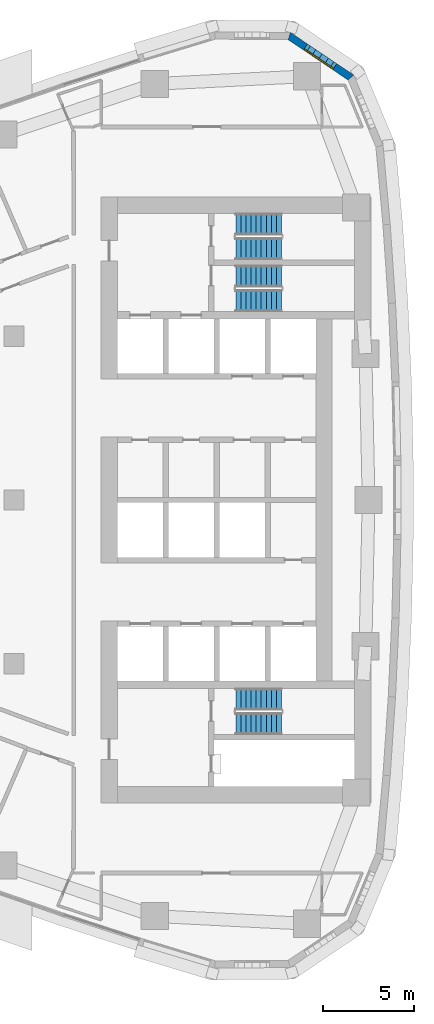
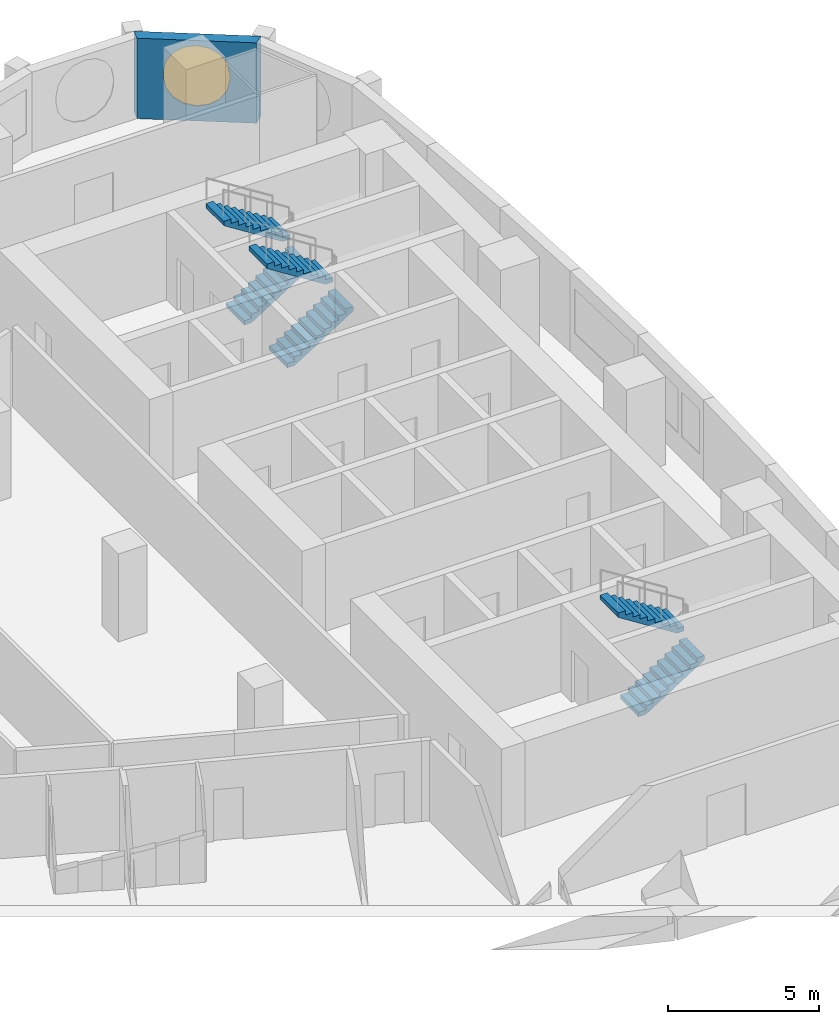
# One storey, part 13 of 17: 6 stair flights, 1 wall, 1 window, 1 opening, 3 elements without a shape of their own.
"""IFC4 building model written with IfcOpenShell, lengths in metres."""

from ifc_helpers import new_model, si_unit, direction, frame, origin, place, context, subcontext, project, spatial, polyline, outline, extrude, material, layer, layer_set, type_object, element, fill, aggregate, save


model = new_model("IFC4")

# Units and contexts
model_context = context("Model", 3, precision=1e-05, world=origin(), true_north=direction((0.0, 1.0)))
body_context = subcontext(model_context, "Body", "Model", "MODEL_VIEW")
ifc_project = project(units=[si_unit("LENGTHUNIT", "METRE"), si_unit("AREAUNIT", "SQUARE_METRE"), si_unit("VOLUMEUNIT", "CUBIC_METRE"), si_unit("PLANEANGLEUNIT", "RADIAN"), si_unit("MASSUNIT", "GRAM", prefix="KILO")], contexts=[model_context])

# Site, building, storey
site_placement = place(None, origin())
site = spatial("IfcSite", under=ifc_project, at=site_placement, CompositionType="ELEMENT")
building_placement = place(site_placement, origin())
building = spatial("IfcBuilding", under=site, at=building_placement, Name="Ostrand Prow Hotel Tower", CompositionType="ELEMENT")
storey_placement = place(building_placement, frame((0.0, 0.0, 158.60009765625)))
storey = spatial("IfcBuildingStorey", under=building, at=storey_placement, Name="L39", CompositionType="ELEMENT", Elevation=158.60009765625)

# Wall, opening, window
ifc_material_1 = material(Name="Precast concrete C40/50", Category="concrete")
ifc_layer = layer(ifc_material_1, 0.39990234375)
ifc_layer_set = layer_set([ifc_layer], Name="Precast concrete C40/50")
wall_type = type_object("IfcWallType", Name="Stone-faced precast wall 400 mm", PredefinedType="NOTDEFINED", material=ifc_layer_set)
wall_placement = place(storey_placement, frame((63.5302734375, 23.218505859375, 0.0), z_axis=(0.0, 0.0, 1.0), x_axis=(-0.829642062482, 0.558295663749, 0.0)))
wall = element("IfcWall", 1, at=wall_placement, inside=storey, type_object=wall_type, Name="Stone-faced wall back 15", PredefinedType="NOTDEFINED", context=body_context, shape_type="SweptSolid", body=[
    extrude(outline(polyline([(-0.060302734375, -0.199951171875), (4.144287109375, -0.199951171875), (4.023681640625, 0.199951171875), (0.060302734375, 0.199951171875), (-0.060302734375, -0.199951171875)])), origin(), (0.0, 0.0, 1.0), 3.25),
])
opening_placement = place(wall_placement, frame((0.94189453125, 0.0, 0.60009765625)))
opening = element("IfcOpeningElement", 2, at=opening_placement, cuts=wall, Name="Opening WP1", PredefinedType="OPENING", context=body_context, shape_type="SweptSolid", body=[
    extrude(outline(polyline([(0.0, 1.35009765625), (0.083740234375, 1.77099609375), (0.322265625, 2.127685546875), (0.678955078125, 2.3662109375), (1.10009765625, 2.449951171875), (1.52099609375, 2.3662109375), (1.877685546875, 2.127685546875), (2.1162109375, 1.77099609375), (2.199951171875, 1.35009765625), (2.199951171875, 1.10009765625), (2.1162109375, 0.678955078125), (1.877685546875, 0.322265625), (1.52099609375, 0.083740234375), (1.10009765625, 0.0), (0.678955078125, 0.083740234375), (0.322265625, 0.322265625), (0.083740234375, 0.678955078125), (0.0, 1.099853515625), (0.0, 1.35009765625)])), frame((0.0, 0.2099609375, 0.0), z_axis=(0.0, -1.0, 0.0), x_axis=(1.0, 0.0, 0.0)), (0.0, 0.0, 1.0), 0.419921875),
])
ifc_material_2 = material(Name="Insulated glass in bronze frame", Category="glass")
window_type = type_object("IfcWindowType", Name="Round-ended prow window 2200x2450", PartitioningType="SINGLE_PANEL", PredefinedType="WINDOW", material=ifc_material_2)
window_placement = place(opening_placement, origin())
window = element("IfcWindow", 3, at=window_placement, inside=storey, type_object=window_type, Name="Window back 15.1", OverallHeight=2.449951171875, OverallWidth=2.199951171875, PartitioningType="SINGLE_PANEL", PredefinedType="WINDOW", context=body_context, shape_type="SweptSolid", body=[
    extrude(outline(polyline([(0.0, 1.35009765625), (0.083740234375, 1.77099609375), (0.322265625, 2.127685546875), (0.678955078125, 2.3662109375), (1.10009765625, 2.449951171875), (1.52099609375, 2.3662109375), (1.877685546875, 2.127685546875), (2.1162109375, 1.77099609375), (2.199951171875, 1.35009765625), (2.199951171875, 1.10009765625), (2.1162109375, 0.678955078125), (1.877685546875, 0.322265625), (1.52099609375, 0.083740234375), (1.10009765625, 0.0), (0.678955078125, 0.083740234375), (0.322265625, 0.322265625), (0.083740234375, 0.678955078125), (0.0, 1.099853515625), (0.0, 1.35009765625)])), frame((0.0, 0.169921875, 0.0), z_axis=(0.0, -1.0, 0.0), x_axis=(1.0, 0.0, 0.0)), (0.0, 0.0, 1.0), 0.06005859375),
])
fill(opening, window)

# Stair, stair flights
ifc_material_3 = material(Name="Concrete C40/50", Category="concrete")
stair_type = type_object("IfcStairType", Name="Exit stair 1200 upper zone", PredefinedType="HALF_TURN_STAIR", material=ifc_material_3)
stair_1_placement = place(storey_placement, origin())
stair_1 = element("IfcStair", 4, at=stair_1_placement, inside=storey, type_object=stair_type, Name="L39 ST1C", PredefinedType="HALF_TURN_STAIR")
ifc_material_4 = material(Name="Concrete C40/50", Category="concrete")
stair_flight_type = type_object("IfcStairFlightType", Name="Stair flight 1200 concrete", PredefinedType="STRAIGHT", material=ifc_material_4)
stair_flight_1_placement = place(storey_placement, frame((57.199951171875, 10.949951171875, 0.0), z_axis=(0.0, 0.0, 1.0), x_axis=(1.0, 0.0, 0.0)))
stair_flight_1 = element("IfcStairFlight", 5, at=stair_flight_1_placement, type_object=stair_flight_type, Name="ST1C flight 1", NumberOfRisers=10, NumberOfTreads=9, PredefinedType="STRAIGHT", RiserHeight=0.1775, TreadLength=0.28, context=body_context, shape_type="SweptSolid", body=[
    extrude(outline(polyline([(0.0, 0.0), (0.0, 0.177490234375), (0.280029296875, 0.177490234375), (0.280029296875, 0.35498046875), (0.56005859375, 0.35498046875), (0.56005859375, 0.532470703125), (0.840087890625, 0.532470703125), (0.840087890625, 0.7099609375), (1.1201171875, 0.7099609375), (1.1201171875, 0.887451171875), (1.39990234375, 0.887451171875), (1.39990234375, 1.06494140625), (1.679931640625, 1.06494140625), (1.679931640625, 1.242431640625), (1.9599609375, 1.242431640625), (1.9599609375, 1.419921875), (2.239990234375, 1.419921875), (2.239990234375, 1.597412109375), (2.52001953125, 1.597412109375), (2.52001953125, 1.77490234375), (2.52001953125, 1.419921875), (0.280029296875, 0.0), (0.0, 0.0)])), frame((0.0, 0.60009765625, 0.0), z_axis=(0.0, -1.0, 0.0), x_axis=(1.0, 0.0, 0.0)), (0.0, 0.0, 1.0), 1.199951171875),
])
stair_flight_2_placement = place(storey_placement, frame((59.719970703125, 12.300048828125, 1.77490234375), z_axis=(0.0, 0.0, 1.0), x_axis=(-1.0, 0.0, 0.0)))
stair_flight_2 = element("IfcStairFlight", 6, at=stair_flight_2_placement, type_object=stair_flight_type, Name="ST1C flight 2", NumberOfRisers=10, NumberOfTreads=9, PredefinedType="STRAIGHT", RiserHeight=0.1775, TreadLength=0.28, context=body_context, shape_type="SweptSolid", body=[
    extrude(outline(polyline([(0.0, 0.0), (0.0, 0.177490234375), (0.280029296875, 0.177490234375), (0.280029296875, 0.35498046875), (0.56005859375, 0.35498046875), (0.56005859375, 0.532470703125), (0.840087890625, 0.532470703125), (0.840087890625, 0.7099609375), (1.1201171875, 0.7099609375), (1.1201171875, 0.887451171875), (1.39990234375, 0.887451171875), (1.39990234375, 1.06494140625), (1.679931640625, 1.06494140625), (1.679931640625, 1.242431640625), (1.9599609375, 1.242431640625), (1.9599609375, 1.419921875), (2.239990234375, 1.419921875), (2.239990234375, 1.597412109375), (2.52001953125, 1.597412109375), (2.52001953125, 1.77490234375), (2.52001953125, 1.419921875), (0.280029296875, 0.0), (0.0, 0.0)])), frame((0.0, 0.60009765625, 0.0), z_axis=(0.0, -1.0, 0.0), x_axis=(1.0, 0.0, 0.0)), (0.0, 0.0, 1.0), 1.199951171875),
])
aggregate(stair_1, [stair_flight_1, stair_flight_2])

stair_2_placement = place(storey_placement, origin())
stair_2 = element("IfcStair", 7, at=stair_2_placement, inside=storey, type_object=stair_type, Name="L39 ST3C", PredefinedType="HALF_TURN_STAIR")
stair_flight_3_placement = place(storey_placement, frame((57.199951171875, 13.800048828125, 0.0), z_axis=(0.0, 0.0, 1.0), x_axis=(1.0, 0.0, 0.0)))
stair_flight_3 = element("IfcStairFlight", 8, at=stair_flight_3_placement, type_object=stair_flight_type, Name="ST3C flight 1", NumberOfRisers=10, NumberOfTreads=9, PredefinedType="STRAIGHT", RiserHeight=0.1775, TreadLength=0.28, context=body_context, shape_type="SweptSolid", body=[
    extrude(outline(polyline([(0.0, 0.0), (0.0, 0.177490234375), (0.280029296875, 0.177490234375), (0.280029296875, 0.35498046875), (0.56005859375, 0.35498046875), (0.56005859375, 0.532470703125), (0.840087890625, 0.532470703125), (0.840087890625, 0.7099609375), (1.1201171875, 0.7099609375), (1.1201171875, 0.887451171875), (1.39990234375, 0.887451171875), (1.39990234375, 1.06494140625), (1.679931640625, 1.06494140625), (1.679931640625, 1.242431640625), (1.9599609375, 1.242431640625), (1.9599609375, 1.419921875), (2.239990234375, 1.419921875), (2.239990234375, 1.597412109375), (2.52001953125, 1.597412109375), (2.52001953125, 1.77490234375), (2.52001953125, 1.419921875), (0.280029296875, 0.0), (0.0, 0.0)])), frame((0.0, 0.60009765625, 0.0), z_axis=(0.0, -1.0, 0.0), x_axis=(1.0, 0.0, 0.0)), (0.0, 0.0, 1.0), 1.199951171875),
])
stair_flight_4_placement = place(storey_placement, frame((59.719970703125, 15.14990234375, 1.77490234375), z_axis=(0.0, 0.0, 1.0), x_axis=(-1.0, 0.0, 0.0)))
stair_flight_4 = element("IfcStairFlight", 9, at=stair_flight_4_placement, type_object=stair_flight_type, Name="ST3C flight 2", NumberOfRisers=10, NumberOfTreads=9, PredefinedType="STRAIGHT", RiserHeight=0.1775, TreadLength=0.28, context=body_context, shape_type="SweptSolid", body=[
    extrude(outline(polyline([(0.0, 0.0), (0.0, 0.177490234375), (0.280029296875, 0.177490234375), (0.280029296875, 0.35498046875), (0.56005859375, 0.35498046875), (0.56005859375, 0.532470703125), (0.840087890625, 0.532470703125), (0.840087890625, 0.7099609375), (1.1201171875, 0.7099609375), (1.1201171875, 0.887451171875), (1.39990234375, 0.887451171875), (1.39990234375, 1.06494140625), (1.679931640625, 1.06494140625), (1.679931640625, 1.242431640625), (1.9599609375, 1.242431640625), (1.9599609375, 1.419921875), (2.239990234375, 1.419921875), (2.239990234375, 1.597412109375), (2.52001953125, 1.597412109375), (2.52001953125, 1.77490234375), (2.52001953125, 1.419921875), (0.280029296875, 0.0), (0.0, 0.0)])), frame((0.0, 0.60009765625, 0.0), z_axis=(0.0, -1.0, 0.0), x_axis=(1.0, 0.0, 0.0)), (0.0, 0.0, 1.0), 1.199951171875),
])
aggregate(stair_2, [stair_flight_3, stair_flight_4])

stair_3_placement = place(storey_placement, origin())
stair_3 = element("IfcStair", 10, at=stair_3_placement, inside=storey, type_object=stair_type, Name="L39 ST2C", PredefinedType="HALF_TURN_STAIR")
stair_flight_5_placement = place(storey_placement, frame((57.199951171875, -12.300048828125, 0.0), z_axis=(0.0, 0.0, 1.0), x_axis=(1.0, 0.0, 0.0)))
stair_flight_5 = element("IfcStairFlight", 11, at=stair_flight_5_placement, type_object=stair_flight_type, Name="ST2C flight 1", NumberOfRisers=10, NumberOfTreads=9, PredefinedType="STRAIGHT", RiserHeight=0.1775, TreadLength=0.28, context=body_context, shape_type="SweptSolid", body=[
    extrude(outline(polyline([(0.0, 0.0), (0.0, 0.177490234375), (0.280029296875, 0.177490234375), (0.280029296875, 0.35498046875), (0.56005859375, 0.35498046875), (0.56005859375, 0.532470703125), (0.840087890625, 0.532470703125), (0.840087890625, 0.7099609375), (1.1201171875, 0.7099609375), (1.1201171875, 0.887451171875), (1.39990234375, 0.887451171875), (1.39990234375, 1.06494140625), (1.679931640625, 1.06494140625), (1.679931640625, 1.242431640625), (1.9599609375, 1.242431640625), (1.9599609375, 1.419921875), (2.239990234375, 1.419921875), (2.239990234375, 1.597412109375), (2.52001953125, 1.597412109375), (2.52001953125, 1.77490234375), (2.52001953125, 1.419921875), (0.280029296875, 0.0), (0.0, 0.0)])), frame((0.0, 0.60009765625, 0.0), z_axis=(0.0, -1.0, 0.0), x_axis=(1.0, 0.0, 0.0)), (0.0, 0.0, 1.0), 1.199951171875),
])
stair_flight_6_placement = place(storey_placement, frame((59.719970703125, -10.949951171875, 1.77490234375), z_axis=(0.0, 0.0, 1.0), x_axis=(-1.0, 0.0, 0.0)))
stair_flight_6 = element("IfcStairFlight", 12, at=stair_flight_6_placement, type_object=stair_flight_type, Name="ST2C flight 2", NumberOfRisers=10, NumberOfTreads=9, PredefinedType="STRAIGHT", RiserHeight=0.1775, TreadLength=0.28, context=body_context, shape_type="SweptSolid", body=[
    extrude(outline(polyline([(0.0, 0.0), (0.0, 0.177490234375), (0.280029296875, 0.177490234375), (0.280029296875, 0.35498046875), (0.56005859375, 0.35498046875), (0.56005859375, 0.532470703125), (0.840087890625, 0.532470703125), (0.840087890625, 0.7099609375), (1.1201171875, 0.7099609375), (1.1201171875, 0.887451171875), (1.39990234375, 0.887451171875), (1.39990234375, 1.06494140625), (1.679931640625, 1.06494140625), (1.679931640625, 1.242431640625), (1.9599609375, 1.242431640625), (1.9599609375, 1.419921875), (2.239990234375, 1.419921875), (2.239990234375, 1.597412109375), (2.52001953125, 1.597412109375), (2.52001953125, 1.77490234375), (2.52001953125, 1.419921875), (0.280029296875, 0.0), (0.0, 0.0)])), frame((0.0, 0.60009765625, 0.0), z_axis=(0.0, -1.0, 0.0), x_axis=(1.0, 0.0, 0.0)), (0.0, 0.0, 1.0), 1.199951171875),
])
aggregate(stair_3, [stair_flight_5, stair_flight_6])

save(model, "model.ifc")
